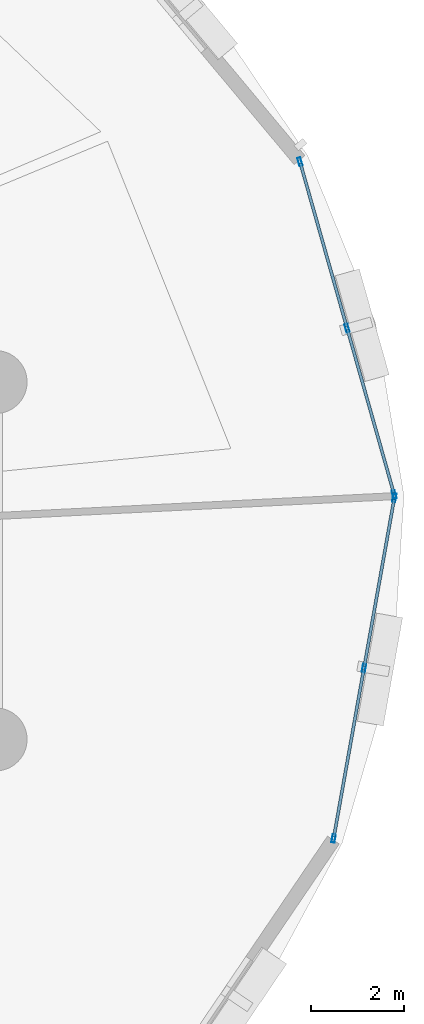
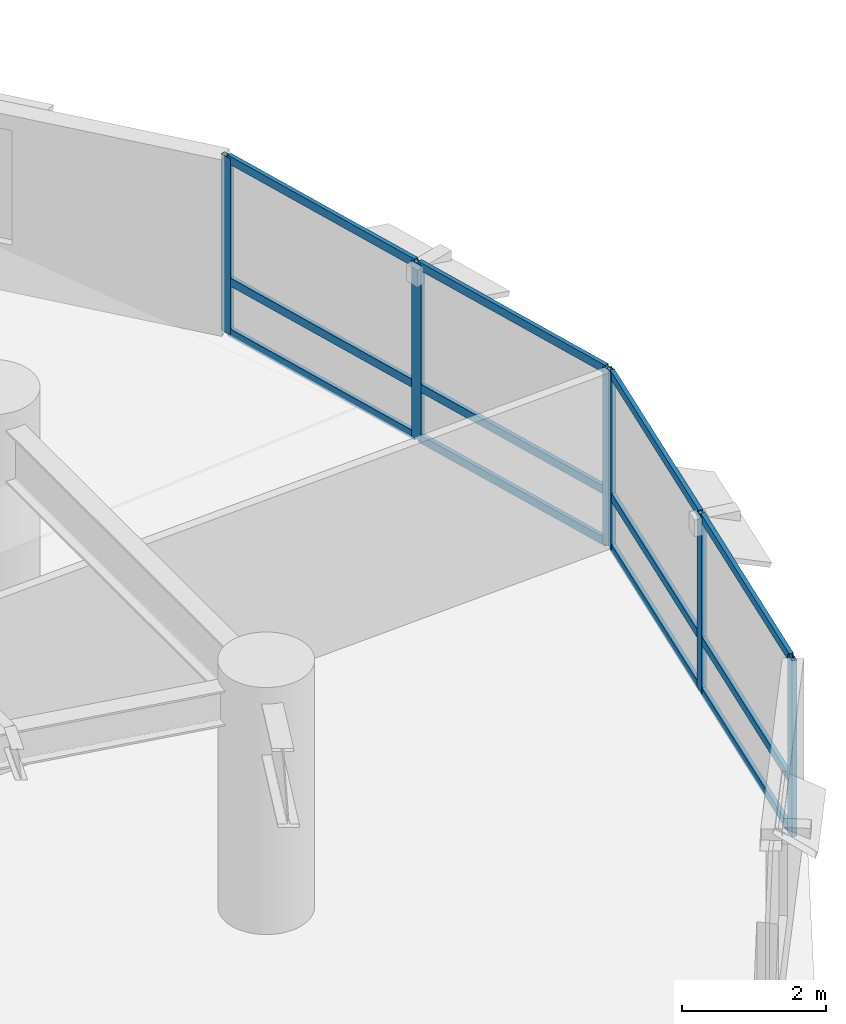
# One storey, part 8 of 16: 18 members, 2 elements without a shape of their own.
"""IFC4 building model written with IfcOpenShell, lengths in metres."""

from ifc_helpers import new_model, si_unit, direction, frame, origin, origin_2d, place, context, subcontext, project, spatial, hollow_rectangle, extrude, material, layer, layer_set, material_profile, profile_set, type_object, element, aggregate, save


model = new_model("IFC4")

# Units and contexts
model_context = context("Model", 3, precision=1e-05, world=origin(), true_north=direction((0.0, 1.0)))
body_context = subcontext(model_context, "Body", "Model", "MODEL_VIEW")
ifc_project = project(units=[si_unit("LENGTHUNIT", "METRE"), si_unit("AREAUNIT", "SQUARE_METRE"), si_unit("VOLUMEUNIT", "CUBIC_METRE"), si_unit("PLANEANGLEUNIT", "RADIAN"), si_unit("MASSUNIT", "GRAM", prefix="KILO"), si_unit("THERMODYNAMICTEMPERATUREUNIT", "KELVIN"), si_unit("POWERUNIT", "WATT")], contexts=[model_context])

# Site, building, storey
site_placement = place(None, origin())
site = spatial("IfcSite", under=ifc_project, at=site_placement, CompositionType="ELEMENT")
building_placement = place(site_placement, origin())
building = spatial("IfcBuilding", under=site, at=building_placement, Name="Ocrelia Relay Tower", CompositionType="ELEMENT")
storey_placement = place(building_placement, frame((0.0, 0.0, 42.60009765625)))
storey = spatial("IfcBuildingStorey", under=building, at=storey_placement, Name="L09", CompositionType="ELEMENT", Elevation=42.60009765625)

# Curtain wall, members
ifc_material_1 = material(Name="Aluminium and solar-control low-E glass", Category="aluminium")
ifc_layer = layer(ifc_material_1, 0.179931640625, Name="Aluminium and solar-control low-E glass")
ifc_layer_set = layer_set([ifc_layer], Name="Aluminium and solar-control low-E glass")
curtain_wall_type = type_object("IfcCurtainWallType", Name="CW-SYS-Z1-DATA", PredefinedType="NOTDEFINED", material=ifc_layer_set)
curtain_wall_1_placement = place(storey_placement, origin())
curtain_wall_1 = element("IfcCurtainWall", 1, at=curtain_wall_1_placement, inside=storey, type_object=curtain_wall_type, Name="L09 Elliptical Tower Curtain Wall Bay 01", PredefinedType="NOTDEFINED")
ifc_material_2 = material(Name="Anodised bronze aluminium", Category="aluminium")
ifc_material_profile_1 = material_profile(ifc_material_2, hollow_rectangle(XDim=0.070068359375, YDim=0.179931640625, WallThickness=0.006103515625, at=origin_2d()), Name="CW-MUL-180x70")
ifc_profile_set_1 = profile_set([ifc_material_profile_1], Name="Anodised bronze aluminium")
member_type_1 = type_object("IfcMemberType", Name="CW-SYS-Z1-DATA-MUL", PredefinedType="MULLION", material=ifc_profile_set_1)
member_1_placement = place(storey_placement, frame((61.756103515625, 27.416015625, 0.0), z_axis=(0.0, 0.0, 1.0), x_axis=(-0.962168934326, -0.27245355901, 0.0)))
member_1 = element("IfcMember", 2, at=member_1_placement, type_object=member_type_1, Name="CW-Z1 mullion 1", PredefinedType="MULLION", context=body_context, shape_type="SweptSolid", body=[
    extrude(hollow_rectangle(XDim=0.070068359375, YDim=0.179931640625, WallThickness=0.006103515625, at=origin_2d()), origin(), (0.0, 0.0, 1.0), 3.0),
])
member_2_placement = place(storey_placement, frame((60.747314453125, 30.978515625, 0.0), z_axis=(0.0, 0.0, 1.0), x_axis=(-0.962168934326, -0.27245355901, 0.0)))
member_2 = element("IfcMember", 3, at=member_2_placement, type_object=member_type_1, Name="CW-Z1 mullion 2", PredefinedType="MULLION", context=body_context, shape_type="SweptSolid", body=[
    extrude(hollow_rectangle(XDim=0.070068359375, YDim=0.179931640625, WallThickness=0.006103515625, at=origin_2d()), origin(), (0.0, 0.0, 1.0), 3.0),
])
member_3_placement = place(storey_placement, frame((59.738525390625, 34.541259765625, 0.0), z_axis=(0.0, 0.0, 1.0), x_axis=(-0.962168934326, -0.27245355901, 0.0)))
member_3 = element("IfcMember", 4, at=member_3_placement, type_object=member_type_1, Name="CW-Z1 mullion 3", PredefinedType="MULLION", context=body_context, shape_type="SweptSolid", body=[
    extrude(hollow_rectangle(XDim=0.070068359375, YDim=0.179931640625, WallThickness=0.006103515625, at=origin_2d()), origin(), (0.0, 0.0, 1.0), 3.0),
])

curtain_wall_2_placement = place(storey_placement, origin())
curtain_wall_2 = element("IfcCurtainWall", 5, at=curtain_wall_2_placement, inside=storey, type_object=curtain_wall_type, Name="L09 Elliptical Tower Curtain Wall Bay 18", PredefinedType="NOTDEFINED")
member_4_placement = place(storey_placement, frame((60.45947265625, 20.057373046875, 0.0), z_axis=(0.0, 0.0, 1.0), x_axis=(-0.984473344975, 0.175534136375, 0.0)))
member_4 = element("IfcMember", 6, at=member_4_placement, type_object=member_type_1, Name="CW-Z1 mullion 1", PredefinedType="MULLION", context=body_context, shape_type="SweptSolid", body=[
    extrude(hollow_rectangle(XDim=0.070068359375, YDim=0.179931640625, WallThickness=0.006103515625, at=origin_2d()), origin(), (0.0, 0.0, 1.0), 3.0),
])
member_5_placement = place(storey_placement, frame((61.109619140625, 23.70263671875, 0.0), z_axis=(0.0, 0.0, 1.0), x_axis=(-0.984473344975, 0.175534136375, 0.0)))
member_5 = element("IfcMember", 7, at=member_5_placement, type_object=member_type_1, Name="CW-Z1 mullion 2", PredefinedType="MULLION", context=body_context, shape_type="SweptSolid", body=[
    extrude(hollow_rectangle(XDim=0.070068359375, YDim=0.179931640625, WallThickness=0.006103515625, at=origin_2d()), origin(), (0.0, 0.0, 1.0), 3.0),
])
member_6_placement = place(storey_placement, frame((61.759521484375, 27.347900390625, 0.0), z_axis=(0.0, 0.0, 1.0), x_axis=(-0.984473344975, 0.175534136375, 0.0)))
member_6 = element("IfcMember", 8, at=member_6_placement, type_object=member_type_1, Name="CW-Z1 mullion 3", PredefinedType="MULLION", context=body_context, shape_type="SweptSolid", body=[
    extrude(hollow_rectangle(XDim=0.070068359375, YDim=0.179931640625, WallThickness=0.006103515625, at=origin_2d()), origin(), (0.0, 0.0, 1.0), 3.0),
])

# Member
ifc_material_profile_2 = material_profile(ifc_material_2, hollow_rectangle(XDim=0.06494140625, YDim=0.139892578125, WallThickness=0.0048828125, at=origin_2d()), Name="CW-TRN-140x65")
ifc_profile_set_2 = profile_set([ifc_material_profile_2], Name="Anodised bronze aluminium")
member_type_2 = type_object("IfcMemberType", Name="CW-SYS-Z1-DATA-TRN", PredefinedType="USERDEFINED", material=ifc_profile_set_2)
member_7_placement = place(storey_placement, frame((61.74658203125, 27.44970703125, 0.032470703125), z_axis=(-0.272465697472, 0.962165497043, 0.0), x_axis=(-0.962165497043, -0.272465697472, 0.0)))
member_7 = element("IfcMember", 9, at=member_7_placement, type_object=member_type_2, Name="CW-Z1 transom 1.1", ObjectType="TRANSOM", PredefinedType="USERDEFINED", context=body_context, shape_type="SweptSolid", body=[
    extrude(hollow_rectangle(XDim=0.06494140625, YDim=0.139892578125, WallThickness=0.0048828125, at=origin_2d()), origin(), (0.0, 0.0, 1.0), 3.632568359375),
])

member_8_placement = place(storey_placement, frame((61.74658203125, 27.44970703125, 0.89990234375), z_axis=(-0.272465697472, 0.962165497043, 0.0), x_axis=(-0.962165497043, -0.272465697472, 0.0)))
member_8 = element("IfcMember", 10, at=member_8_placement, type_object=member_type_2, Name="CW-Z1 transom 1.2", ObjectType="TRANSOM", PredefinedType="USERDEFINED", context=body_context, shape_type="SweptSolid", body=[
    extrude(hollow_rectangle(XDim=0.06494140625, YDim=0.139892578125, WallThickness=0.0048828125, at=origin_2d()), origin(), (0.0, 0.0, 1.0), 3.632568359375),
])

member_9_placement = place(storey_placement, frame((61.74658203125, 27.44970703125, 2.96728515625), z_axis=(-0.272465697472, 0.962165497043, 0.0), x_axis=(-0.962165497043, -0.272465697472, 0.0)))
member_9 = element("IfcMember", 11, at=member_9_placement, type_object=member_type_2, Name="CW-Z1 transom 1.3", ObjectType="TRANSOM", PredefinedType="USERDEFINED", context=body_context, shape_type="SweptSolid", body=[
    extrude(hollow_rectangle(XDim=0.06494140625, YDim=0.139892578125, WallThickness=0.0048828125, at=origin_2d()), origin(), (0.0, 0.0, 1.0), 3.632568359375),
])

member_10_placement = place(storey_placement, frame((60.73779296875, 31.01220703125, 0.032470703125), z_axis=(-0.272448079223, 0.962170485999, 0.0), x_axis=(-0.962170485999, -0.272448079223, 0.0)))
member_10 = element("IfcMember", 12, at=member_10_placement, type_object=member_type_2, Name="CW-Z1 transom 2.1", ObjectType="TRANSOM", PredefinedType="USERDEFINED", context=body_context, shape_type="SweptSolid", body=[
    extrude(hollow_rectangle(XDim=0.06494140625, YDim=0.139892578125, WallThickness=0.0048828125, at=origin_2d()), origin(), (0.0, 0.0, 1.0), 3.6328125),
])

member_11_placement = place(storey_placement, frame((60.73779296875, 31.01220703125, 0.89990234375), z_axis=(-0.272448079223, 0.962170485999, 0.0), x_axis=(-0.962170485999, -0.272448079223, 0.0)))
member_11 = element("IfcMember", 13, at=member_11_placement, type_object=member_type_2, Name="CW-Z1 transom 2.2", ObjectType="TRANSOM", PredefinedType="USERDEFINED", context=body_context, shape_type="SweptSolid", body=[
    extrude(hollow_rectangle(XDim=0.06494140625, YDim=0.139892578125, WallThickness=0.0048828125, at=origin_2d()), origin(), (0.0, 0.0, 1.0), 3.6328125),
])

member_12_placement = place(storey_placement, frame((60.73779296875, 31.01220703125, 2.96728515625), z_axis=(-0.272448079223, 0.962170485999, 0.0), x_axis=(-0.962170485999, -0.272448079223, 0.0)))
member_12 = element("IfcMember", 14, at=member_12_placement, type_object=member_type_2, Name="CW-Z1 transom 2.3", ObjectType="TRANSOM", PredefinedType="USERDEFINED", context=body_context, shape_type="SweptSolid", body=[
    extrude(hollow_rectangle(XDim=0.06494140625, YDim=0.139892578125, WallThickness=0.0048828125, at=origin_2d()), origin(), (0.0, 0.0, 1.0), 3.6328125),
])

aggregate(curtain_wall_1, [member_1, member_2, member_3, member_7, member_8, member_9, member_10, member_11, member_12])

member_13_placement = place(storey_placement, frame((60.465576171875, 20.091796875, 0.032470703125), z_axis=(0.175537101252, 0.984472816326, 0.0), x_axis=(-0.984472816326, 0.175537101252, 0.0)))
member_13 = element("IfcMember", 15, at=member_13_placement, type_object=member_type_2, Name="CW-Z1 transom 1.1", ObjectType="TRANSOM", PredefinedType="USERDEFINED", context=body_context, shape_type="SweptSolid", body=[
    extrude(hollow_rectangle(XDim=0.06494140625, YDim=0.139892578125, WallThickness=0.0048828125, at=origin_2d()), origin(), (0.0, 0.0, 1.0), 3.6328125),
])

member_14_placement = place(storey_placement, frame((60.465576171875, 20.091796875, 0.89990234375), z_axis=(0.175537101252, 0.984472816326, 0.0), x_axis=(-0.984472816326, 0.175537101252, 0.0)))
member_14 = element("IfcMember", 16, at=member_14_placement, type_object=member_type_2, Name="CW-Z1 transom 1.2", ObjectType="TRANSOM", PredefinedType="USERDEFINED", context=body_context, shape_type="SweptSolid", body=[
    extrude(hollow_rectangle(XDim=0.06494140625, YDim=0.139892578125, WallThickness=0.0048828125, at=origin_2d()), origin(), (0.0, 0.0, 1.0), 3.6328125),
])

member_15_placement = place(storey_placement, frame((60.465576171875, 20.091796875, 2.96728515625), z_axis=(0.175537101252, 0.984472816326, 0.0), x_axis=(-0.984472816326, 0.175537101252, 0.0)))
member_15 = element("IfcMember", 17, at=member_15_placement, type_object=member_type_2, Name="CW-Z1 transom 1.3", ObjectType="TRANSOM", PredefinedType="USERDEFINED", context=body_context, shape_type="SweptSolid", body=[
    extrude(hollow_rectangle(XDim=0.06494140625, YDim=0.139892578125, WallThickness=0.0048828125, at=origin_2d()), origin(), (0.0, 0.0, 1.0), 3.6328125),
])

member_16_placement = place(storey_placement, frame((61.11572265625, 23.737060546875, 0.032470703125), z_axis=(0.175537101252, 0.984472816326, 0.0), x_axis=(-0.984472816326, 0.175537101252, 0.0)))
member_16 = element("IfcMember", 18, at=member_16_placement, type_object=member_type_2, Name="CW-Z1 transom 2.1", ObjectType="TRANSOM", PredefinedType="USERDEFINED", context=body_context, shape_type="SweptSolid", body=[
    extrude(hollow_rectangle(XDim=0.06494140625, YDim=0.139892578125, WallThickness=0.0048828125, at=origin_2d()), origin(), (0.0, 0.0, 1.0), 3.6328125),
])

member_17_placement = place(storey_placement, frame((61.11572265625, 23.737060546875, 0.89990234375), z_axis=(0.175537101252, 0.984472816326, 0.0), x_axis=(-0.984472816326, 0.175537101252, 0.0)))
member_17 = element("IfcMember", 19, at=member_17_placement, type_object=member_type_2, Name="CW-Z1 transom 2.2", ObjectType="TRANSOM", PredefinedType="USERDEFINED", context=body_context, shape_type="SweptSolid", body=[
    extrude(hollow_rectangle(XDim=0.06494140625, YDim=0.139892578125, WallThickness=0.0048828125, at=origin_2d()), origin(), (0.0, 0.0, 1.0), 3.6328125),
])

member_18_placement = place(storey_placement, frame((61.11572265625, 23.737060546875, 2.96728515625), z_axis=(0.175537101252, 0.984472816326, 0.0), x_axis=(-0.984472816326, 0.175537101252, 0.0)))
member_18 = element("IfcMember", 20, at=member_18_placement, type_object=member_type_2, Name="CW-Z1 transom 2.3", ObjectType="TRANSOM", PredefinedType="USERDEFINED", context=body_context, shape_type="SweptSolid", body=[
    extrude(hollow_rectangle(XDim=0.06494140625, YDim=0.139892578125, WallThickness=0.0048828125, at=origin_2d()), origin(), (0.0, 0.0, 1.0), 3.6328125),
])

aggregate(curtain_wall_2, [member_4, member_5, member_6, member_13, member_14, member_15, member_16, member_17, member_18])

save(model, "model.ifc")
